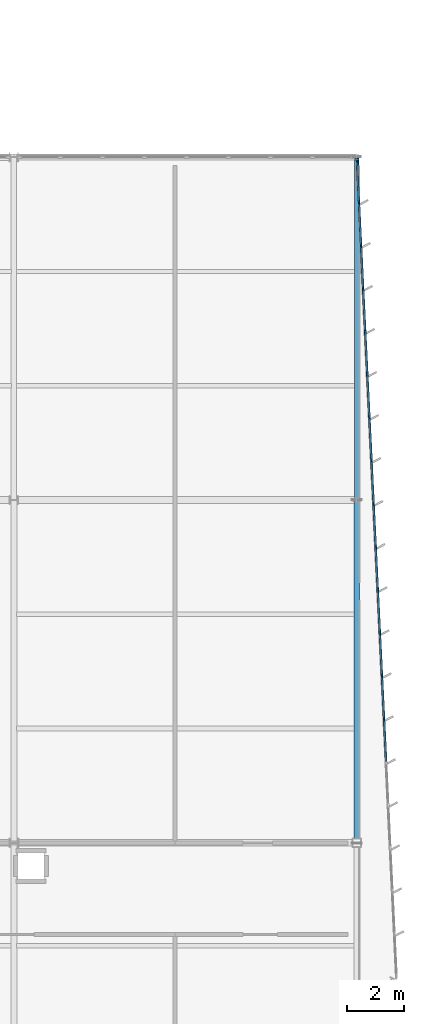
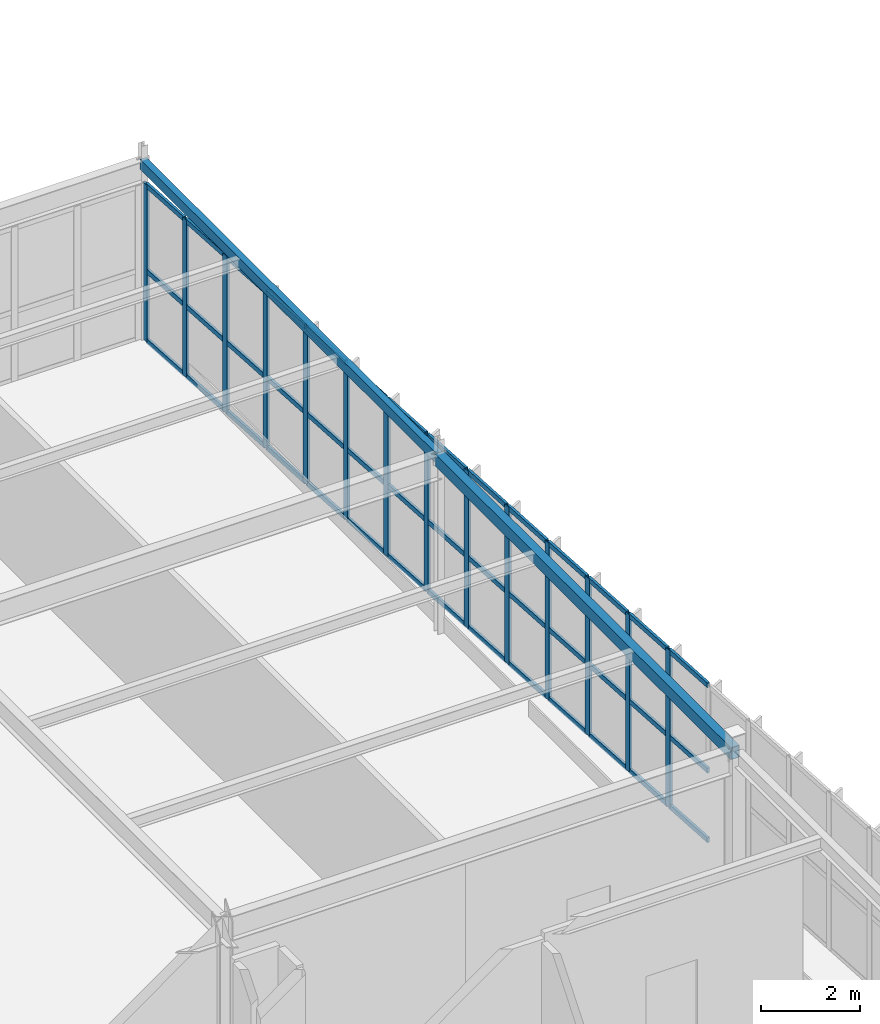
# One storey, part 98 of 186: 56 members, 2 beams, 1 element without a shape of its own.
"""IFC4 building model written with IfcOpenShell, lengths in metres."""

from ifc_helpers import new_model, si_unit, direction, frame, origin, origin_2d, place, context, subcontext, project, spatial, rectangle, hollow_rectangle, extrude, material, layer, layer_set, material_profile, profile_set, type_object, element, aggregate, save


model = new_model("IFC4")

# Units and contexts
model_context = context("Model", 3, precision=1e-05, world=origin(), true_north=direction((0.0, 1.0)))
body_context = subcontext(model_context, "Body", "Model", "MODEL_VIEW")
ifc_project = project(units=[si_unit("LENGTHUNIT", "METRE"), si_unit("AREAUNIT", "SQUARE_METRE"), si_unit("VOLUMEUNIT", "CUBIC_METRE"), si_unit("PLANEANGLEUNIT", "RADIAN"), si_unit("MASSUNIT", "GRAM", prefix="KILO")], contexts=[model_context])

# Site, building, storey
site_placement = place(None, origin())
site = spatial("IfcSite", under=ifc_project, at=site_placement, CompositionType="ELEMENT")
building_placement = place(site_placement, origin())
building = spatial("IfcBuilding", under=site, at=building_placement, Name="Tarnwether General Hospital", CompositionType="ELEMENT")
storey_placement = place(building_placement, frame((0.0, 0.0, 9.60009765625)))
storey = spatial("IfcBuildingStorey", under=building, at=storey_placement, Name="L02", CompositionType="ELEMENT", Elevation=9.60009765625)

# Beams
ifc_material_1 = material(Name="Steel Grade C350L0 (350 MPa)", Category="steel")
ifc_material_profile_1 = material_profile(ifc_material_1, hollow_rectangle(XDim=0.199951171875, YDim=0.300048828125, WallThickness=0.012451171875, at=origin_2d()), Name="RHS300x200x12.5")
ifc_profile_set_1 = profile_set([ifc_material_profile_1], Name="Steel Grade C350L0 (350 MPa)")
beam_type_1 = type_object("IfcBeamType", Name="BM-SP3", PredefinedType="SPANDREL", material=ifc_profile_set_1)
beam_1_placement = place(storey_placement, frame((192.0, 21.60009765625, 4.289794921875), z_axis=(0.0, 1.0, 0.0), x_axis=(-1.0, 0.0, 0.0)))
element("IfcBeam", 1, at=beam_1_placement, inside=storey, type_object=beam_type_1, Name="Primary Girder BMG-L02-19200_2160-19200_3360-1642", PredefinedType="SPANDREL", context=body_context, shape_type="SweptSolid", body=[
    extrude(hollow_rectangle(XDim=0.199951171875, YDim=0.300048828125, WallThickness=0.012451171875, at=origin_2d()), origin(), (0.0, 0.0, 1.0), 12.0),
])
ifc_material_2 = material(Name="Steel Grade C350L0 (350 MPa)", Category="steel")
ifc_material_profile_2 = material_profile(ifc_material_2, hollow_rectangle(XDim=0.14990234375, YDim=0.25, WallThickness=0.010009765625, at=origin_2d()), Name="RHS250x150x10")
ifc_profile_set_2 = profile_set([ifc_material_profile_2], Name="Steel Grade C350L0 (350 MPa)")
beam_type_2 = type_object("IfcBeamType", Name="BM-SP4", PredefinedType="SPANDREL", material=ifc_profile_set_2)
beam_2_placement = place(storey_placement, frame((192.0, 33.60009765625, 4.31494140625), z_axis=(0.0, 1.0, 0.0), x_axis=(-1.0, 0.0, 0.0)))
element("IfcBeam", 2, at=beam_2_placement, inside=storey, type_object=beam_type_2, Name="Primary Girder BMG-L02-19200_3360-19200_4560-1643", PredefinedType="SPANDREL", context=body_context, shape_type="SweptSolid", body=[
    extrude(hollow_rectangle(XDim=0.14990234375, YDim=0.25, WallThickness=0.010009765625, at=origin_2d()), origin(), (0.0, 0.0, 1.0), 12.0),
])

# Curtain wall, members
ifc_material_3 = material(Name="Anodised aluminium", Category="aluminium")
ifc_layer = layer(ifc_material_3, 0.159912109375)
ifc_layer_set = layer_set([ifc_layer], Name="Anodised aluminium")
curtain_wall_type = type_object("IfcCurtainWallType", Name="CW-18", PredefinedType="NOTDEFINED", material=ifc_layer_set)
curtain_wall_placement = place(storey_placement, origin())
curtain_wall = element("IfcCurtainWall", 3, at=curtain_wall_placement, inside=storey, type_object=curtain_wall_type, Name="Curtain Wall CWG-L02-1920_455-0460", PredefinedType="NOTDEFINED")
ifc_material_4 = material(Name="Anodised aluminium", Category="aluminium")
ifc_material_profile_3 = material_profile(ifc_material_4, rectangle(XDim=0.06005859375, YDim=0.159912109375, at=origin_2d()), Name="ALU-MUL-60x160")
ifc_profile_set_3 = profile_set([ifc_material_profile_3], Name="Anodised aluminium")
member_type_1 = type_object("IfcMemberType", Name="CW-ML1", PredefinedType="MULLION", material=ifc_profile_set_3)
member_1_placement = place(storey_placement, frame((192.00537109375, 45.483154296875, 0.0), z_axis=(0.0, 0.0, 1.0), x_axis=(0.998820252343, 0.048560307958, 0.0)))
member_1 = element("IfcMember", 4, at=member_1_placement, type_object=member_type_1, Name="CW-18 mullion 1", PredefinedType="MULLION", context=body_context, shape_type="SweptSolid", body=[
    extrude(rectangle(XDim=0.06005859375, YDim=0.159912109375, at=origin_2d()), origin(), (0.0, 0.0, 1.0), 3.891845703125),
])
member_2_placement = place(storey_placement, frame((192.0771484375, 44.007080078125, 0.0), z_axis=(0.0, 0.0, 1.0), x_axis=(0.998820252343, 0.048560307958, 0.0)))
member_2 = element("IfcMember", 5, at=member_2_placement, type_object=member_type_1, Name="CW-18 mullion 2", PredefinedType="MULLION", context=body_context, shape_type="SweptSolid", body=[
    extrude(rectangle(XDim=0.06005859375, YDim=0.159912109375, at=origin_2d()), origin(), (0.0, 0.0, 1.0), 3.891845703125),
])
member_3_placement = place(storey_placement, frame((192.150390625, 42.501220703125, 0.0), z_axis=(0.0, 0.0, 1.0), x_axis=(0.998820252343, 0.048560307958, 0.0)))
member_3 = element("IfcMember", 6, at=member_3_placement, type_object=member_type_1, Name="CW-18 mullion 3", PredefinedType="MULLION", context=body_context, shape_type="SweptSolid", body=[
    extrude(rectangle(XDim=0.06005859375, YDim=0.159912109375, at=origin_2d()), origin(), (0.0, 0.0, 1.0), 3.891845703125),
])
member_4_placement = place(storey_placement, frame((192.2236328125, 40.995361328125, 0.0), z_axis=(0.0, 0.0, 1.0), x_axis=(0.998820252343, 0.048560307958, 0.0)))
member_4 = element("IfcMember", 7, at=member_4_placement, type_object=member_type_1, Name="CW-18 mullion 4", PredefinedType="MULLION", context=body_context, shape_type="SweptSolid", body=[
    extrude(rectangle(XDim=0.06005859375, YDim=0.159912109375, at=origin_2d()), origin(), (0.0, 0.0, 1.0), 3.891845703125),
])
member_5_placement = place(storey_placement, frame((192.296875, 39.48974609375, 0.0), z_axis=(0.0, 0.0, 1.0), x_axis=(0.998820252343, 0.048560307958, 0.0)))
member_5 = element("IfcMember", 8, at=member_5_placement, type_object=member_type_1, Name="CW-18 mullion 5", PredefinedType="MULLION", context=body_context, shape_type="SweptSolid", body=[
    extrude(rectangle(XDim=0.06005859375, YDim=0.159912109375, at=origin_2d()), origin(), (0.0, 0.0, 1.0), 3.891845703125),
])
member_6_placement = place(storey_placement, frame((192.3701171875, 37.98388671875, 0.0), z_axis=(0.0, 0.0, 1.0), x_axis=(0.998820252343, 0.048560307958, 0.0)))
member_6 = element("IfcMember", 9, at=member_6_placement, type_object=member_type_1, Name="CW-18 mullion 6", PredefinedType="MULLION", context=body_context, shape_type="SweptSolid", body=[
    extrude(rectangle(XDim=0.06005859375, YDim=0.159912109375, at=origin_2d()), origin(), (0.0, 0.0, 1.0), 3.891845703125),
])
member_7_placement = place(storey_placement, frame((192.443359375, 36.47802734375, 0.0), z_axis=(0.0, 0.0, 1.0), x_axis=(0.998820252343, 0.048560307958, 0.0)))
member_7 = element("IfcMember", 10, at=member_7_placement, type_object=member_type_1, Name="CW-18 mullion 7", PredefinedType="MULLION", context=body_context, shape_type="SweptSolid", body=[
    extrude(rectangle(XDim=0.06005859375, YDim=0.159912109375, at=origin_2d()), origin(), (0.0, 0.0, 1.0), 3.891845703125),
])
member_8_placement = place(storey_placement, frame((192.516357421875, 34.97216796875, 0.0), z_axis=(0.0, 0.0, 1.0), x_axis=(0.998820252343, 0.048560307958, 0.0)))
member_8 = element("IfcMember", 11, at=member_8_placement, type_object=member_type_1, Name="CW-18 mullion 8", PredefinedType="MULLION", context=body_context, shape_type="SweptSolid", body=[
    extrude(rectangle(XDim=0.06005859375, YDim=0.159912109375, at=origin_2d()), origin(), (0.0, 0.0, 1.0), 3.891845703125),
])
member_9_placement = place(storey_placement, frame((192.589599609375, 33.46630859375, 0.0), z_axis=(0.0, 0.0, 1.0), x_axis=(0.998820252343, 0.048560307958, 0.0)))
member_9 = element("IfcMember", 12, at=member_9_placement, type_object=member_type_1, Name="CW-18 mullion 9", PredefinedType="MULLION", context=body_context, shape_type="SweptSolid", body=[
    extrude(rectangle(XDim=0.06005859375, YDim=0.159912109375, at=origin_2d()), origin(), (0.0, 0.0, 1.0), 3.891845703125),
])
member_10_placement = place(storey_placement, frame((192.662841796875, 31.96044921875, 0.0), z_axis=(0.0, 0.0, 1.0), x_axis=(0.998820252343, 0.048560307958, 0.0)))
member_10 = element("IfcMember", 13, at=member_10_placement, type_object=member_type_1, Name="CW-18 mullion 10", PredefinedType="MULLION", context=body_context, shape_type="SweptSolid", body=[
    extrude(rectangle(XDim=0.06005859375, YDim=0.159912109375, at=origin_2d()), origin(), (0.0, 0.0, 1.0), 3.891845703125),
])
member_11_placement = place(storey_placement, frame((192.736083984375, 30.45458984375, 0.0), z_axis=(0.0, 0.0, 1.0), x_axis=(0.998820252343, 0.048560307958, 0.0)))
member_11 = element("IfcMember", 14, at=member_11_placement, type_object=member_type_1, Name="CW-18 mullion 11", PredefinedType="MULLION", context=body_context, shape_type="SweptSolid", body=[
    extrude(rectangle(XDim=0.06005859375, YDim=0.159912109375, at=origin_2d()), origin(), (0.0, 0.0, 1.0), 3.891845703125),
])
member_12_placement = place(storey_placement, frame((192.809326171875, 28.94873046875, 0.0), z_axis=(0.0, 0.0, 1.0), x_axis=(0.998820252343, 0.048560307958, 0.0)))
member_12 = element("IfcMember", 15, at=member_12_placement, type_object=member_type_1, Name="CW-18 mullion 12", PredefinedType="MULLION", context=body_context, shape_type="SweptSolid", body=[
    extrude(rectangle(XDim=0.06005859375, YDim=0.159912109375, at=origin_2d()), origin(), (0.0, 0.0, 1.0), 3.891845703125),
])
member_13_placement = place(storey_placement, frame((192.882568359375, 27.44287109375, 0.0), z_axis=(0.0, 0.0, 1.0), x_axis=(0.998820252343, 0.048560307958, 0.0)))
member_13 = element("IfcMember", 16, at=member_13_placement, type_object=member_type_1, Name="CW-18 mullion 13", PredefinedType="MULLION", context=body_context, shape_type="SweptSolid", body=[
    extrude(rectangle(XDim=0.06005859375, YDim=0.159912109375, at=origin_2d()), origin(), (0.0, 0.0, 1.0), 3.891845703125),
])
member_14_placement = place(storey_placement, frame((192.955810546875, 25.93701171875, 0.0), z_axis=(0.0, 0.0, 1.0), x_axis=(0.998820252343, 0.048560307958, 0.0)))
member_14 = element("IfcMember", 17, at=member_14_placement, type_object=member_type_1, Name="CW-18 mullion 14", PredefinedType="MULLION", context=body_context, shape_type="SweptSolid", body=[
    extrude(rectangle(XDim=0.06005859375, YDim=0.159912109375, at=origin_2d()), origin(), (0.0, 0.0, 1.0), 3.891845703125),
])
ifc_material_5 = material(Name="Anodised aluminium", Category="aluminium")
ifc_material_profile_4 = material_profile(ifc_material_5, rectangle(XDim=0.06005859375, YDim=0.1201171875, at=origin_2d()), Name="ALU-TRN-60x120")
ifc_profile_set_4 = profile_set([ifc_material_profile_4], Name="Anodised aluminium")
member_type_2 = type_object("IfcMemberType", Name="CW-TR1", PredefinedType="USERDEFINED", material=ifc_profile_set_4)
member_15_placement = place(storey_placement, frame((192.0068359375, 45.453125, 0.02978515625), z_axis=(0.048563322385, -0.998820105784, 0.0), x_axis=(0.998820105784, 0.048563322385, 0.0)))
member_15 = element("IfcMember", 18, at=member_15_placement, type_object=member_type_2, Name="CW-18 transom 1.1", ObjectType="TRANSOM", PredefinedType="USERDEFINED", context=body_context, shape_type="SweptSolid", body=[
    extrude(rectangle(XDim=0.06005859375, YDim=0.1201171875, at=origin_2d()), origin(), (0.0, 0.0, 1.0), 1.417724609375),
])
member_16_placement = place(storey_placement, frame((192.0068359375, 45.453125, 1.751220703125), z_axis=(0.048563322385, -0.998820105784, 0.0), x_axis=(0.998820105784, 0.048563322385, 0.0)))
member_16 = element("IfcMember", 19, at=member_16_placement, type_object=member_type_2, Name="CW-18 transom 1.2", ObjectType="TRANSOM", PredefinedType="USERDEFINED", context=body_context, shape_type="SweptSolid", body=[
    extrude(rectangle(XDim=0.06005859375, YDim=0.1201171875, at=origin_2d()), origin(), (0.0, 0.0, 1.0), 1.417724609375),
])
member_17_placement = place(storey_placement, frame((192.0068359375, 45.453125, 3.86181640625), z_axis=(0.048563322385, -0.998820105784, 0.0), x_axis=(0.998820105784, 0.048563322385, 0.0)))
member_17 = element("IfcMember", 20, at=member_17_placement, type_object=member_type_2, Name="CW-18 transom 1.3", ObjectType="TRANSOM", PredefinedType="USERDEFINED", context=body_context, shape_type="SweptSolid", body=[
    extrude(rectangle(XDim=0.06005859375, YDim=0.1201171875, at=origin_2d()), origin(), (0.0, 0.0, 1.0), 1.417724609375),
])
member_18_placement = place(storey_placement, frame((192.07861328125, 43.977294921875, 0.02978515625), z_axis=(0.0485666291, -0.998819945004, 0.0), x_axis=(0.998819945004, 0.0485666291, 0.0)))
member_18 = element("IfcMember", 21, at=member_18_placement, type_object=member_type_2, Name="CW-18 transom 2.1", ObjectType="TRANSOM", PredefinedType="USERDEFINED", context=body_context, shape_type="SweptSolid", body=[
    extrude(rectangle(XDim=0.06005859375, YDim=0.1201171875, at=origin_2d()), origin(), (0.0, 0.0, 1.0), 1.44775390625),
])
member_19_placement = place(storey_placement, frame((192.07861328125, 43.977294921875, 1.751220703125), z_axis=(0.0485666291, -0.998819945004, 0.0), x_axis=(0.998819945004, 0.0485666291, 0.0)))
member_19 = element("IfcMember", 22, at=member_19_placement, type_object=member_type_2, Name="CW-18 transom 2.2", ObjectType="TRANSOM", PredefinedType="USERDEFINED", context=body_context, shape_type="SweptSolid", body=[
    extrude(rectangle(XDim=0.06005859375, YDim=0.1201171875, at=origin_2d()), origin(), (0.0, 0.0, 1.0), 1.44775390625),
])
member_20_placement = place(storey_placement, frame((192.07861328125, 43.977294921875, 3.86181640625), z_axis=(0.0485666291, -0.998819945004, 0.0), x_axis=(0.998819945004, 0.0485666291, 0.0)))
member_20 = element("IfcMember", 23, at=member_20_placement, type_object=member_type_2, Name="CW-18 transom 2.3", ObjectType="TRANSOM", PredefinedType="USERDEFINED", context=body_context, shape_type="SweptSolid", body=[
    extrude(rectangle(XDim=0.06005859375, YDim=0.1201171875, at=origin_2d()), origin(), (0.0, 0.0, 1.0), 1.44775390625),
])
member_21_placement = place(storey_placement, frame((192.15185546875, 42.471435546875, 0.02978515625), z_axis=(0.0485666291, -0.998819945004, 0.0), x_axis=(0.998819945004, 0.0485666291, 0.0)))
member_21 = element("IfcMember", 24, at=member_21_placement, type_object=member_type_2, Name="CW-18 transom 3.1", ObjectType="TRANSOM", PredefinedType="USERDEFINED", context=body_context, shape_type="SweptSolid", body=[
    extrude(rectangle(XDim=0.06005859375, YDim=0.1201171875, at=origin_2d()), origin(), (0.0, 0.0, 1.0), 1.44775390625),
])
member_22_placement = place(storey_placement, frame((192.15185546875, 42.471435546875, 1.751220703125), z_axis=(0.0485666291, -0.998819945004, 0.0), x_axis=(0.998819945004, 0.0485666291, 0.0)))
member_22 = element("IfcMember", 25, at=member_22_placement, type_object=member_type_2, Name="CW-18 transom 3.2", ObjectType="TRANSOM", PredefinedType="USERDEFINED", context=body_context, shape_type="SweptSolid", body=[
    extrude(rectangle(XDim=0.06005859375, YDim=0.1201171875, at=origin_2d()), origin(), (0.0, 0.0, 1.0), 1.44775390625),
])
member_23_placement = place(storey_placement, frame((192.15185546875, 42.471435546875, 3.86181640625), z_axis=(0.0485666291, -0.998819945004, 0.0), x_axis=(0.998819945004, 0.0485666291, 0.0)))
member_23 = element("IfcMember", 26, at=member_23_placement, type_object=member_type_2, Name="CW-18 transom 3.3", ObjectType="TRANSOM", PredefinedType="USERDEFINED", context=body_context, shape_type="SweptSolid", body=[
    extrude(rectangle(XDim=0.06005859375, YDim=0.1201171875, at=origin_2d()), origin(), (0.0, 0.0, 1.0), 1.44775390625),
])
member_24_placement = place(storey_placement, frame((192.22509765625, 40.965576171875, 0.02978515625), z_axis=(0.0485666291, -0.998819945004, 0.0), x_axis=(0.998819945004, 0.0485666291, 0.0)))
member_24 = element("IfcMember", 27, at=member_24_placement, type_object=member_type_2, Name="CW-18 transom 4.1", ObjectType="TRANSOM", PredefinedType="USERDEFINED", context=body_context, shape_type="SweptSolid", body=[
    extrude(rectangle(XDim=0.06005859375, YDim=0.1201171875, at=origin_2d()), origin(), (0.0, 0.0, 1.0), 1.44775390625),
])
member_25_placement = place(storey_placement, frame((192.22509765625, 40.965576171875, 1.751220703125), z_axis=(0.0485666291, -0.998819945004, 0.0), x_axis=(0.998819945004, 0.0485666291, 0.0)))
member_25 = element("IfcMember", 28, at=member_25_placement, type_object=member_type_2, Name="CW-18 transom 4.2", ObjectType="TRANSOM", PredefinedType="USERDEFINED", context=body_context, shape_type="SweptSolid", body=[
    extrude(rectangle(XDim=0.06005859375, YDim=0.1201171875, at=origin_2d()), origin(), (0.0, 0.0, 1.0), 1.44775390625),
])
member_26_placement = place(storey_placement, frame((192.22509765625, 40.965576171875, 3.86181640625), z_axis=(0.0485666291, -0.998819945004, 0.0), x_axis=(0.998819945004, 0.0485666291, 0.0)))
member_26 = element("IfcMember", 29, at=member_26_placement, type_object=member_type_2, Name="CW-18 transom 4.3", ObjectType="TRANSOM", PredefinedType="USERDEFINED", context=body_context, shape_type="SweptSolid", body=[
    extrude(rectangle(XDim=0.06005859375, YDim=0.1201171875, at=origin_2d()), origin(), (0.0, 0.0, 1.0), 1.44775390625),
])
member_27_placement = place(storey_placement, frame((192.29833984375, 39.459716796875, 0.02978515625), z_axis=(0.0485666291, -0.998819945004, 0.0), x_axis=(0.998819945004, 0.0485666291, 0.0)))
member_27 = element("IfcMember", 30, at=member_27_placement, type_object=member_type_2, Name="CW-18 transom 5.1", ObjectType="TRANSOM", PredefinedType="USERDEFINED", context=body_context, shape_type="SweptSolid", body=[
    extrude(rectangle(XDim=0.06005859375, YDim=0.1201171875, at=origin_2d()), origin(), (0.0, 0.0, 1.0), 1.44775390625),
])
member_28_placement = place(storey_placement, frame((192.29833984375, 39.459716796875, 1.751220703125), z_axis=(0.0485666291, -0.998819945004, 0.0), x_axis=(0.998819945004, 0.0485666291, 0.0)))
member_28 = element("IfcMember", 31, at=member_28_placement, type_object=member_type_2, Name="CW-18 transom 5.2", ObjectType="TRANSOM", PredefinedType="USERDEFINED", context=body_context, shape_type="SweptSolid", body=[
    extrude(rectangle(XDim=0.06005859375, YDim=0.1201171875, at=origin_2d()), origin(), (0.0, 0.0, 1.0), 1.44775390625),
])
member_29_placement = place(storey_placement, frame((192.29833984375, 39.459716796875, 3.86181640625), z_axis=(0.0485666291, -0.998819945004, 0.0), x_axis=(0.998819945004, 0.0485666291, 0.0)))
member_29 = element("IfcMember", 32, at=member_29_placement, type_object=member_type_2, Name="CW-18 transom 5.3", ObjectType="TRANSOM", PredefinedType="USERDEFINED", context=body_context, shape_type="SweptSolid", body=[
    extrude(rectangle(XDim=0.06005859375, YDim=0.1201171875, at=origin_2d()), origin(), (0.0, 0.0, 1.0), 1.44775390625),
])
member_30_placement = place(storey_placement, frame((192.37158203125, 37.953857421875, 0.02978515625), z_axis=(0.0485666291, -0.998819945004, 0.0), x_axis=(0.998819945004, 0.0485666291, 0.0)))
member_30 = element("IfcMember", 33, at=member_30_placement, type_object=member_type_2, Name="CW-18 transom 6.1", ObjectType="TRANSOM", PredefinedType="USERDEFINED", context=body_context, shape_type="SweptSolid", body=[
    extrude(rectangle(XDim=0.06005859375, YDim=0.1201171875, at=origin_2d()), origin(), (0.0, 0.0, 1.0), 1.44775390625),
])
member_31_placement = place(storey_placement, frame((192.37158203125, 37.953857421875, 1.751220703125), z_axis=(0.0485666291, -0.998819945004, 0.0), x_axis=(0.998819945004, 0.0485666291, 0.0)))
member_31 = element("IfcMember", 34, at=member_31_placement, type_object=member_type_2, Name="CW-18 transom 6.2", ObjectType="TRANSOM", PredefinedType="USERDEFINED", context=body_context, shape_type="SweptSolid", body=[
    extrude(rectangle(XDim=0.06005859375, YDim=0.1201171875, at=origin_2d()), origin(), (0.0, 0.0, 1.0), 1.44775390625),
])
member_32_placement = place(storey_placement, frame((192.37158203125, 37.953857421875, 3.86181640625), z_axis=(0.0485666291, -0.998819945004, 0.0), x_axis=(0.998819945004, 0.0485666291, 0.0)))
member_32 = element("IfcMember", 35, at=member_32_placement, type_object=member_type_2, Name="CW-18 transom 6.3", ObjectType="TRANSOM", PredefinedType="USERDEFINED", context=body_context, shape_type="SweptSolid", body=[
    extrude(rectangle(XDim=0.06005859375, YDim=0.1201171875, at=origin_2d()), origin(), (0.0, 0.0, 1.0), 1.44775390625),
])
member_33_placement = place(storey_placement, frame((192.44482421875, 36.447998046875, 0.02978515625), z_axis=(0.0485666291, -0.998819945004, 0.0), x_axis=(0.998819945004, 0.0485666291, 0.0)))
member_33 = element("IfcMember", 36, at=member_33_placement, type_object=member_type_2, Name="CW-18 transom 7.1", ObjectType="TRANSOM", PredefinedType="USERDEFINED", context=body_context, shape_type="SweptSolid", body=[
    extrude(rectangle(XDim=0.06005859375, YDim=0.1201171875, at=origin_2d()), origin(), (0.0, 0.0, 1.0), 1.44775390625),
])
member_34_placement = place(storey_placement, frame((192.44482421875, 36.447998046875, 1.751220703125), z_axis=(0.0485666291, -0.998819945004, 0.0), x_axis=(0.998819945004, 0.0485666291, 0.0)))
member_34 = element("IfcMember", 37, at=member_34_placement, type_object=member_type_2, Name="CW-18 transom 7.2", ObjectType="TRANSOM", PredefinedType="USERDEFINED", context=body_context, shape_type="SweptSolid", body=[
    extrude(rectangle(XDim=0.06005859375, YDim=0.1201171875, at=origin_2d()), origin(), (0.0, 0.0, 1.0), 1.44775390625),
])
member_35_placement = place(storey_placement, frame((192.44482421875, 36.447998046875, 3.86181640625), z_axis=(0.0485666291, -0.998819945004, 0.0), x_axis=(0.998819945004, 0.0485666291, 0.0)))
member_35 = element("IfcMember", 38, at=member_35_placement, type_object=member_type_2, Name="CW-18 transom 7.3", ObjectType="TRANSOM", PredefinedType="USERDEFINED", context=body_context, shape_type="SweptSolid", body=[
    extrude(rectangle(XDim=0.06005859375, YDim=0.1201171875, at=origin_2d()), origin(), (0.0, 0.0, 1.0), 1.44775390625),
])
member_36_placement = place(storey_placement, frame((192.517822265625, 34.942138671875, 0.02978515625), z_axis=(0.048574810803, -0.998819547143, 0.0), x_axis=(0.998819547143, 0.048574810803, 0.0)))
member_36 = element("IfcMember", 39, at=member_36_placement, type_object=member_type_2, Name="CW-18 transom 8.1", ObjectType="TRANSOM", PredefinedType="USERDEFINED", context=body_context, shape_type="SweptSolid", body=[
    extrude(rectangle(XDim=0.06005859375, YDim=0.1201171875, at=origin_2d()), origin(), (0.0, 0.0, 1.0), 1.447509765625),
])
member_37_placement = place(storey_placement, frame((192.517822265625, 34.942138671875, 1.751220703125), z_axis=(0.048574810803, -0.998819547143, 0.0), x_axis=(0.998819547143, 0.048574810803, 0.0)))
member_37 = element("IfcMember", 40, at=member_37_placement, type_object=member_type_2, Name="CW-18 transom 8.2", ObjectType="TRANSOM", PredefinedType="USERDEFINED", context=body_context, shape_type="SweptSolid", body=[
    extrude(rectangle(XDim=0.06005859375, YDim=0.1201171875, at=origin_2d()), origin(), (0.0, 0.0, 1.0), 1.447509765625),
])
member_38_placement = place(storey_placement, frame((192.517822265625, 34.942138671875, 3.86181640625), z_axis=(0.048574810803, -0.998819547143, 0.0), x_axis=(0.998819547143, 0.048574810803, 0.0)))
member_38 = element("IfcMember", 41, at=member_38_placement, type_object=member_type_2, Name="CW-18 transom 8.3", ObjectType="TRANSOM", PredefinedType="USERDEFINED", context=body_context, shape_type="SweptSolid", body=[
    extrude(rectangle(XDim=0.06005859375, YDim=0.1201171875, at=origin_2d()), origin(), (0.0, 0.0, 1.0), 1.447509765625),
])
member_39_placement = place(storey_placement, frame((192.591064453125, 33.436279296875, 0.02978515625), z_axis=(0.048574810803, -0.998819547143, 0.0), x_axis=(0.998819547143, 0.048574810803, 0.0)))
member_39 = element("IfcMember", 42, at=member_39_placement, type_object=member_type_2, Name="CW-18 transom 9.1", ObjectType="TRANSOM", PredefinedType="USERDEFINED", context=body_context, shape_type="SweptSolid", body=[
    extrude(rectangle(XDim=0.06005859375, YDim=0.1201171875, at=origin_2d()), origin(), (0.0, 0.0, 1.0), 1.447509765625),
])
member_40_placement = place(storey_placement, frame((192.591064453125, 33.436279296875, 1.751220703125), z_axis=(0.048574810803, -0.998819547143, 0.0), x_axis=(0.998819547143, 0.048574810803, 0.0)))
member_40 = element("IfcMember", 43, at=member_40_placement, type_object=member_type_2, Name="CW-18 transom 9.2", ObjectType="TRANSOM", PredefinedType="USERDEFINED", context=body_context, shape_type="SweptSolid", body=[
    extrude(rectangle(XDim=0.06005859375, YDim=0.1201171875, at=origin_2d()), origin(), (0.0, 0.0, 1.0), 1.447509765625),
])
member_41_placement = place(storey_placement, frame((192.591064453125, 33.436279296875, 3.86181640625), z_axis=(0.048574810803, -0.998819547143, 0.0), x_axis=(0.998819547143, 0.048574810803, 0.0)))
member_41 = element("IfcMember", 44, at=member_41_placement, type_object=member_type_2, Name="CW-18 transom 9.3", ObjectType="TRANSOM", PredefinedType="USERDEFINED", context=body_context, shape_type="SweptSolid", body=[
    extrude(rectangle(XDim=0.06005859375, YDim=0.1201171875, at=origin_2d()), origin(), (0.0, 0.0, 1.0), 1.447509765625),
])
member_42_placement = place(storey_placement, frame((192.664306640625, 31.930419921875, 0.02978515625), z_axis=(0.048574810803, -0.998819547143, 0.0), x_axis=(0.998819547143, 0.048574810803, 0.0)))
member_42 = element("IfcMember", 45, at=member_42_placement, type_object=member_type_2, Name="CW-18 transom 10.1", ObjectType="TRANSOM", PredefinedType="USERDEFINED", context=body_context, shape_type="SweptSolid", body=[
    extrude(rectangle(XDim=0.06005859375, YDim=0.1201171875, at=origin_2d()), origin(), (0.0, 0.0, 1.0), 1.447509765625),
])
member_43_placement = place(storey_placement, frame((192.664306640625, 31.930419921875, 1.751220703125), z_axis=(0.048574810803, -0.998819547143, 0.0), x_axis=(0.998819547143, 0.048574810803, 0.0)))
member_43 = element("IfcMember", 46, at=member_43_placement, type_object=member_type_2, Name="CW-18 transom 10.2", ObjectType="TRANSOM", PredefinedType="USERDEFINED", context=body_context, shape_type="SweptSolid", body=[
    extrude(rectangle(XDim=0.06005859375, YDim=0.1201171875, at=origin_2d()), origin(), (0.0, 0.0, 1.0), 1.447509765625),
])
member_44_placement = place(storey_placement, frame((192.664306640625, 31.930419921875, 3.86181640625), z_axis=(0.048574810803, -0.998819547143, 0.0), x_axis=(0.998819547143, 0.048574810803, 0.0)))
member_44 = element("IfcMember", 47, at=member_44_placement, type_object=member_type_2, Name="CW-18 transom 10.3", ObjectType="TRANSOM", PredefinedType="USERDEFINED", context=body_context, shape_type="SweptSolid", body=[
    extrude(rectangle(XDim=0.06005859375, YDim=0.1201171875, at=origin_2d()), origin(), (0.0, 0.0, 1.0), 1.447509765625),
])
member_45_placement = place(storey_placement, frame((192.737548828125, 30.424560546875, 0.02978515625), z_axis=(0.048574810803, -0.998819547143, 0.0), x_axis=(0.998819547143, 0.048574810803, 0.0)))
member_45 = element("IfcMember", 48, at=member_45_placement, type_object=member_type_2, Name="CW-18 transom 11.1", ObjectType="TRANSOM", PredefinedType="USERDEFINED", context=body_context, shape_type="SweptSolid", body=[
    extrude(rectangle(XDim=0.06005859375, YDim=0.1201171875, at=origin_2d()), origin(), (0.0, 0.0, 1.0), 1.447509765625),
])
member_46_placement = place(storey_placement, frame((192.737548828125, 30.424560546875, 1.751220703125), z_axis=(0.048574810803, -0.998819547143, 0.0), x_axis=(0.998819547143, 0.048574810803, 0.0)))
member_46 = element("IfcMember", 49, at=member_46_placement, type_object=member_type_2, Name="CW-18 transom 11.2", ObjectType="TRANSOM", PredefinedType="USERDEFINED", context=body_context, shape_type="SweptSolid", body=[
    extrude(rectangle(XDim=0.06005859375, YDim=0.1201171875, at=origin_2d()), origin(), (0.0, 0.0, 1.0), 1.447509765625),
])
member_47_placement = place(storey_placement, frame((192.737548828125, 30.424560546875, 3.86181640625), z_axis=(0.048574810803, -0.998819547143, 0.0), x_axis=(0.998819547143, 0.048574810803, 0.0)))
member_47 = element("IfcMember", 50, at=member_47_placement, type_object=member_type_2, Name="CW-18 transom 11.3", ObjectType="TRANSOM", PredefinedType="USERDEFINED", context=body_context, shape_type="SweptSolid", body=[
    extrude(rectangle(XDim=0.06005859375, YDim=0.1201171875, at=origin_2d()), origin(), (0.0, 0.0, 1.0), 1.447509765625),
])
member_48_placement = place(storey_placement, frame((192.810791015625, 28.918701171875, 0.02978515625), z_axis=(0.048574810803, -0.998819547143, 0.0), x_axis=(0.998819547143, 0.048574810803, 0.0)))
member_48 = element("IfcMember", 51, at=member_48_placement, type_object=member_type_2, Name="CW-18 transom 12.1", ObjectType="TRANSOM", PredefinedType="USERDEFINED", context=body_context, shape_type="SweptSolid", body=[
    extrude(rectangle(XDim=0.06005859375, YDim=0.1201171875, at=origin_2d()), origin(), (0.0, 0.0, 1.0), 1.447509765625),
])
member_49_placement = place(storey_placement, frame((192.810791015625, 28.918701171875, 1.751220703125), z_axis=(0.048574810803, -0.998819547143, 0.0), x_axis=(0.998819547143, 0.048574810803, 0.0)))
member_49 = element("IfcMember", 52, at=member_49_placement, type_object=member_type_2, Name="CW-18 transom 12.2", ObjectType="TRANSOM", PredefinedType="USERDEFINED", context=body_context, shape_type="SweptSolid", body=[
    extrude(rectangle(XDim=0.06005859375, YDim=0.1201171875, at=origin_2d()), origin(), (0.0, 0.0, 1.0), 1.447509765625),
])
member_50_placement = place(storey_placement, frame((192.810791015625, 28.918701171875, 3.86181640625), z_axis=(0.048574810803, -0.998819547143, 0.0), x_axis=(0.998819547143, 0.048574810803, 0.0)))
member_50 = element("IfcMember", 53, at=member_50_placement, type_object=member_type_2, Name="CW-18 transom 12.3", ObjectType="TRANSOM", PredefinedType="USERDEFINED", context=body_context, shape_type="SweptSolid", body=[
    extrude(rectangle(XDim=0.06005859375, YDim=0.1201171875, at=origin_2d()), origin(), (0.0, 0.0, 1.0), 1.447509765625),
])
member_51_placement = place(storey_placement, frame((192.884033203125, 27.412841796875, 0.02978515625), z_axis=(0.048574810803, -0.998819547143, 0.0), x_axis=(0.998819547143, 0.048574810803, 0.0)))
member_51 = element("IfcMember", 54, at=member_51_placement, type_object=member_type_2, Name="CW-18 transom 13.1", ObjectType="TRANSOM", PredefinedType="USERDEFINED", context=body_context, shape_type="SweptSolid", body=[
    extrude(rectangle(XDim=0.06005859375, YDim=0.1201171875, at=origin_2d()), origin(), (0.0, 0.0, 1.0), 1.447509765625),
])
member_52_placement = place(storey_placement, frame((192.884033203125, 27.412841796875, 1.751220703125), z_axis=(0.048574810803, -0.998819547143, 0.0), x_axis=(0.998819547143, 0.048574810803, 0.0)))
member_52 = element("IfcMember", 55, at=member_52_placement, type_object=member_type_2, Name="CW-18 transom 13.2", ObjectType="TRANSOM", PredefinedType="USERDEFINED", context=body_context, shape_type="SweptSolid", body=[
    extrude(rectangle(XDim=0.06005859375, YDim=0.1201171875, at=origin_2d()), origin(), (0.0, 0.0, 1.0), 1.447509765625),
])
member_53_placement = place(storey_placement, frame((192.884033203125, 27.412841796875, 3.86181640625), z_axis=(0.048574810803, -0.998819547143, 0.0), x_axis=(0.998819547143, 0.048574810803, 0.0)))
member_53 = element("IfcMember", 56, at=member_53_placement, type_object=member_type_2, Name="CW-18 transom 13.3", ObjectType="TRANSOM", PredefinedType="USERDEFINED", context=body_context, shape_type="SweptSolid", body=[
    extrude(rectangle(XDim=0.06005859375, YDim=0.1201171875, at=origin_2d()), origin(), (0.0, 0.0, 1.0), 1.447509765625),
])
member_54_placement = place(storey_placement, frame((192.957275390625, 25.906982421875, 0.02978515625), z_axis=(0.048574810803, -0.998819547143, 0.0), x_axis=(0.998819547143, 0.048574810803, 0.0)))
member_54 = element("IfcMember", 57, at=member_54_placement, type_object=member_type_2, Name="CW-18 transom 14.1", ObjectType="TRANSOM", PredefinedType="USERDEFINED", context=body_context, shape_type="SweptSolid", body=[
    extrude(rectangle(XDim=0.06005859375, YDim=0.1201171875, at=origin_2d()), origin(), (0.0, 0.0, 1.0), 1.447509765625),
])
member_55_placement = place(storey_placement, frame((192.957275390625, 25.906982421875, 1.751220703125), z_axis=(0.048574810803, -0.998819547143, 0.0), x_axis=(0.998819547143, 0.048574810803, 0.0)))
member_55 = element("IfcMember", 58, at=member_55_placement, type_object=member_type_2, Name="CW-18 transom 14.2", ObjectType="TRANSOM", PredefinedType="USERDEFINED", context=body_context, shape_type="SweptSolid", body=[
    extrude(rectangle(XDim=0.06005859375, YDim=0.1201171875, at=origin_2d()), origin(), (0.0, 0.0, 1.0), 1.447509765625),
])
member_56_placement = place(storey_placement, frame((192.957275390625, 25.906982421875, 3.86181640625), z_axis=(0.048574810803, -0.998819547143, 0.0), x_axis=(0.998819547143, 0.048574810803, 0.0)))
member_56 = element("IfcMember", 59, at=member_56_placement, type_object=member_type_2, Name="CW-18 transom 14.3", ObjectType="TRANSOM", PredefinedType="USERDEFINED", context=body_context, shape_type="SweptSolid", body=[
    extrude(rectangle(XDim=0.06005859375, YDim=0.1201171875, at=origin_2d()), origin(), (0.0, 0.0, 1.0), 1.447509765625),
])
aggregate(curtain_wall, [member_1, member_2, member_3, member_4, member_5, member_6, member_7, member_8, member_9, member_10, member_11, member_12, member_13, member_14, member_15, member_16, member_17, member_18, member_19, member_20, member_21, member_22, member_23, member_24, member_25, member_26, member_27, member_28, member_29, member_30, member_31, member_32, member_33, member_34, member_35, member_36, member_37, member_38, member_39, member_40, member_41, member_42, member_43, member_44, member_45, member_46, member_47, member_48, member_49, member_50, member_51, member_52, member_53, member_54, member_55, member_56])

save(model, "model.ifc")
